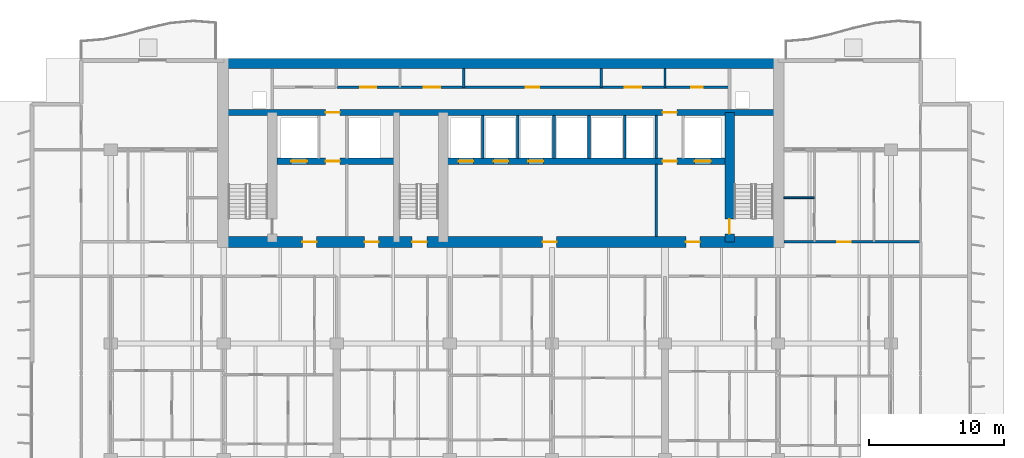
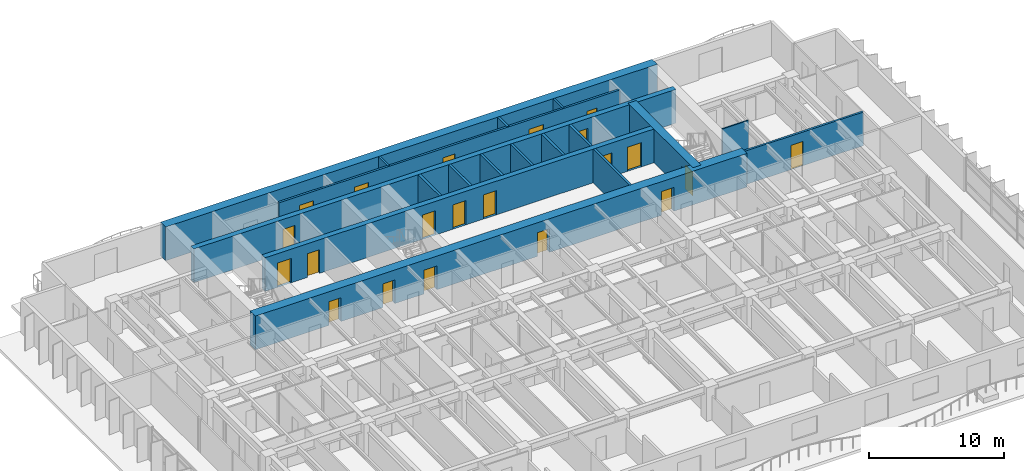
# One storey, part 11 of 17: 21 doors, 18 walls, 21 openings.
"""IFC4 building model written with IfcOpenShell, lengths in metres."""

from ifc_helpers import new_model, si_unit, direction, frame, frame_2d, origin, place, context, subcontext, project, spatial, rectangle, extrude, material, layer, layer_set, type_object, element, fill, save


model = new_model("IFC4")

# Units and contexts
model_context = context("Model", 3, precision=1e-05, world=origin(), true_north=direction((0.0, 1.0)))
body_context = subcontext(model_context, "Body", "Model", "MODEL_VIEW")
ifc_project = project(units=[si_unit("LENGTHUNIT", "METRE"), si_unit("AREAUNIT", "SQUARE_METRE"), si_unit("VOLUMEUNIT", "CUBIC_METRE"), si_unit("PLANEANGLEUNIT", "RADIAN"), si_unit("MASSUNIT", "GRAM", prefix="KILO")], contexts=[model_context])

# Site, building, storey
site_placement = place(None, origin())
site = spatial("IfcSite", under=ifc_project, at=site_placement, CompositionType="ELEMENT")
building_placement = place(site_placement, origin())
building = spatial("IfcBuilding", under=site, at=building_placement, Name="Caelmar Bay Residences", CompositionType="ELEMENT")
storey_placement = place(building_placement, frame((0.0, 0.0, 84.60009765625)))
storey = spatial("IfcBuildingStorey", under=building, at=storey_placement, Name="L22", CompositionType="ELEMENT", Elevation=84.60009765625)

# Wall, opening, door
ifc_material_1 = material(Name="Concrete f'c 55 MPa (8,000 psi)", Category="concrete")
ifc_layer_1 = layer(ifc_material_1, 0.699951171875)
ifc_layer_set_1 = layer_set([ifc_layer_1], Name="Concrete f'c 55 MPa (8,000 psi)")
wall_type_1 = type_object("IfcWallType", Name="SW-COR-700", PredefinedType="SHEAR", material=ifc_layer_set_1)
wall_1_placement = place(storey_placement, frame((55.89990234375, 36.949951171875, 0.0), z_axis=(0.0, 0.0, 1.0), x_axis=(0.0, 1.0, 0.0)))
wall_1 = element("IfcWall", 1, at=wall_1_placement, inside=storey, type_object=wall_type_1, Name="L22 Core Structural Web Wall ST2W", PredefinedType="SHEAR", context=body_context, shape_type="SweptSolid", body=[
    extrude(rectangle(XDim=9.625, YDim=0.699951171875, at=frame_2d((4.8125, 0.0))), origin(), (0.0, 0.0, 1.0), 3.0498046875),
])
opening_1_placement = place(wall_1_placement, frame((0.60009765625, 0.0, 0.0)))
opening_1 = element("IfcOpeningElement", 2, at=opening_1_placement, cuts=wall_1, Name="Opening D-L22-111", PredefinedType="OPENING", context=body_context, shape_type="SweptSolid", body=[
    extrude(rectangle(XDim=1.10009765625, YDim=2.14990234375, at=frame_2d((0.550048828125, 1.074951171875))), frame((0.0, 0.35986328125, 0.0), z_axis=(0.0, -1.0, 0.0), x_axis=(1.0, 0.0, 0.0)), (0.0, 0.0, 1.0), 0.719970703125),
])
ifc_material_2 = material(Name="Fire-rated steel and walnut architectural door assembly", Category="steel")
ifc_layer_2 = layer(ifc_material_2, 0.050048828125)
ifc_layer_set_2 = layer_set([ifc_layer_2], Name="Fire-rated steel and walnut architectural door assembly")
door_type_1 = type_object("IfcDoorType", Name="D-STAIR-1100", OperationType="NOTDEFINED", PredefinedType="DOOR", material=ifc_layer_set_2)
door_1_placement = place(opening_1_placement, origin())
door_1 = element("IfcDoor", 3, at=door_1_placement, inside=storey, type_object=door_type_1, Name="L22 Firefighting Lobby East Door", OperationType="SINGLE_SWING_RIGHT", OverallHeight=2.14990234375, OverallWidth=1.10009765625, PredefinedType="DOOR", context=body_context, shape_type="SweptSolid", body=[
    extrude(rectangle(XDim=1.10009765625, YDim=2.14990234375, at=frame_2d((0.550048828125, 1.074951171875))), frame((0.0, 0.02490234375, 0.0), z_axis=(0.0, -1.0, 0.0), x_axis=(1.0, 0.0, 0.0)), (0.0, 0.0, 1.0), 0.050048828125),
])
fill(opening_1, door_1)

# Wall, openings, doors
ifc_material_3 = material(Name="Concrete f'c 70 MPa (10,000 psi)", Category="concrete")
ifc_layer_3 = layer(ifc_material_3, 0.800048828125)
ifc_layer_set_3 = layer_set([ifc_layer_3], Name="Concrete f'c 70 MPa (10,000 psi)")
wall_type_2 = type_object("IfcWallType", Name="SW-COR-800", PredefinedType="SHEAR", material=ifc_layer_set_3)
wall_2_placement = place(storey_placement, frame((17.85009765625, 36.949951171875, 0.0), z_axis=(0.0, 0.0, 1.0), x_axis=(1.0, 0.0, 0.0)))
wall_2 = element("IfcWall", 4, at=wall_2_placement, inside=storey, type_object=wall_type_2, Name="L22 Rear Core South Shear Wall", PredefinedType="SHEAR", context=body_context, shape_type="SweptSolid", body=[
    extrude(rectangle(XDim=42.099853515625, YDim=0.800048828125, at=frame_2d((21.0498046875, 0.0))), origin(), (0.0, 0.0, 1.0), 3.0498046875),
])
opening_2_placement = place(wall_2_placement, frame((14.449951171875, 0.0, 0.0)))
opening_2 = element("IfcOpeningElement", 5, at=opening_2_placement, cuts=wall_2, Name="Opening D-L22-106", PredefinedType="OPENING", context=body_context, shape_type="SweptSolid", body=[
    extrude(rectangle(XDim=1.10009765625, YDim=2.14990234375, at=frame_2d((0.550048828125, 1.074951171875))), frame((0.0, 0.409912109375, 0.0), z_axis=(0.0, -1.0, 0.0), x_axis=(1.0, 0.0, 0.0)), (0.0, 0.0, 1.0), 0.820068359375),
])
opening_3_placement = place(wall_2_placement, frame((6.300048828125, 0.0, 0.0)))
opening_3 = element("IfcOpeningElement", 6, at=opening_3_placement, cuts=wall_2, Name="Opening D-L22-107", PredefinedType="OPENING", context=body_context, shape_type="SweptSolid", body=[
    extrude(rectangle(XDim=1.050048828125, YDim=2.14990234375, at=frame_2d((0.52490234375, 1.074951171875))), frame((0.0, 0.409912109375, 0.0), z_axis=(0.0, -1.0, 0.0), x_axis=(1.0, 0.0, 0.0)), (0.0, 0.0, 1.0), 0.820068359375),
])
opening_4_placement = place(wall_2_placement, frame((34.800048828125, 0.0, 0.0)))
opening_4 = element("IfcOpeningElement", 7, at=opening_4_placement, cuts=wall_2, Name="Opening D-L22-110", PredefinedType="OPENING", context=body_context, shape_type="SweptSolid", body=[
    extrude(rectangle(XDim=1.050048828125, YDim=2.14990234375, at=frame_2d((0.52490234375, 1.074951171875))), frame((0.0, 0.409912109375, 0.0), z_axis=(0.0, -1.0, 0.0), x_axis=(1.0, 0.0, 0.0)), (0.0, 0.0, 1.0), 0.820068359375),
])
opening_5_placement = place(wall_2_placement, frame((10.91259765625, 0.0, 0.0)))
opening_5 = element("IfcOpeningElement", 8, at=opening_5_placement, cuts=wall_2, Name="Opening D-L22-113", PredefinedType="OPENING", context=body_context, shape_type="SweptSolid", body=[
    extrude(rectangle(XDim=1.050048828125, YDim=2.14990234375, at=frame_2d((0.52490234375, 1.074951171875))), frame((0.0, 0.409912109375, 0.0), z_axis=(0.0, -1.0, 0.0), x_axis=(1.0, 0.0, 0.0)), (0.0, 0.0, 1.0), 0.820068359375),
])
opening_6_placement = place(wall_2_placement, frame((24.14990234375, 0.0, 0.0)))
opening_6 = element("IfcOpeningElement", 9, at=opening_6_placement, cuts=wall_2, Name="Opening D-L22-114", PredefinedType="OPENING", context=body_context, shape_type="SweptSolid", body=[
    extrude(rectangle(XDim=1.050048828125, YDim=2.14990234375, at=frame_2d((0.52490234375, 1.074951171875))), frame((0.0, 0.409912109375, 0.0), z_axis=(0.0, -1.0, 0.0), x_axis=(1.0, 0.0, 0.0)), (0.0, 0.0, 1.0), 0.820068359375),
])
ifc_layer_4 = layer(ifc_material_2, 0.050048828125)
ifc_layer_set_4 = layer_set([ifc_layer_4], Name="Fire-rated steel and walnut architectural door assembly")
door_type_2 = type_object("IfcDoorType", Name="D-FSAE-1050", OperationType="NOTDEFINED", PredefinedType="DOOR", material=ifc_layer_set_4)
door_2_placement = place(opening_3_placement, origin())
door_2 = element("IfcDoor", 10, at=door_2_placement, inside=storey, type_object=door_type_2, Name="L22 Firefighting Lobby West Door", OperationType="SINGLE_SWING_RIGHT", OverallHeight=2.14990234375, OverallWidth=1.050048828125, PredefinedType="DOOR", context=body_context, shape_type="SweptSolid", body=[
    extrude(rectangle(XDim=1.050048828125, YDim=2.14990234375, at=frame_2d((0.52490234375, 1.074951171875))), frame((0.0, 0.02490234375, 0.0), z_axis=(0.0, -1.0, 0.0), x_axis=(1.0, 0.0, 0.0)), (0.0, 0.0, 1.0), 0.050048828125),
])
fill(opening_3, door_2)
door_3_placement = place(opening_4_placement, origin())
door_3 = element("IfcDoor", 11, at=door_3_placement, inside=storey, type_object=door_type_2, Name="L22 Firefighting Lobby East Door", OperationType="SINGLE_SWING_LEFT", OverallHeight=2.14990234375, OverallWidth=1.050048828125, PredefinedType="DOOR", context=body_context, shape_type="SweptSolid", body=[
    extrude(rectangle(XDim=1.050048828125, YDim=2.14990234375, at=frame_2d((0.52490234375, 1.074951171875))), frame((0.0, 0.02490234375, 0.0), z_axis=(0.0, -1.0, 0.0), x_axis=(1.0, 0.0, 0.0)), (0.0, 0.0, 1.0), 0.050048828125),
])
fill(opening_4, door_3)
door_4_placement = place(opening_5_placement, origin())
door_4 = element("IfcDoor", 12, at=door_4_placement, inside=storey, type_object=door_type_2, Name="L22 West Lift Lobby Door", OperationType="SINGLE_SWING_RIGHT", OverallHeight=2.14990234375, OverallWidth=1.050048828125, PredefinedType="DOOR", context=body_context, shape_type="SweptSolid", body=[
    extrude(rectangle(XDim=1.050048828125, YDim=2.14990234375, at=frame_2d((0.52490234375, 1.074951171875))), frame((0.0, 0.02490234375, 0.0), z_axis=(0.0, -1.0, 0.0), x_axis=(1.0, 0.0, 0.0)), (0.0, 0.0, 1.0), 0.050048828125),
])
fill(opening_5, door_4)
door_5_placement = place(opening_6_placement, origin())
door_5 = element("IfcDoor", 13, at=door_5_placement, inside=storey, type_object=door_type_2, Name="L22 Passenger Lift Lobby Door", OperationType="SINGLE_SWING_LEFT", OverallHeight=2.14990234375, OverallWidth=1.050048828125, PredefinedType="DOOR", context=body_context, shape_type="SweptSolid", body=[
    extrude(rectangle(XDim=1.050048828125, YDim=2.14990234375, at=frame_2d((0.52490234375, 1.074951171875))), frame((0.0, 0.02490234375, 0.0), z_axis=(0.0, -1.0, 0.0), x_axis=(1.0, 0.0, 0.0)), (0.0, 0.0, 1.0), 0.050048828125),
])
fill(opening_6, door_5)
door_6_placement = place(opening_2_placement, origin())
door_6 = element("IfcDoor", 14, at=door_6_placement, inside=storey, type_object=door_type_1, Name="L22 Exit Stair ST3 Door", OperationType="SINGLE_SWING_LEFT", OverallHeight=2.14990234375, OverallWidth=1.10009765625, PredefinedType="DOOR", context=body_context, shape_type="SweptSolid", body=[
    extrude(rectangle(XDim=1.10009765625, YDim=2.14990234375, at=frame_2d((0.550048828125, 1.074951171875))), frame((0.0, 0.02490234375, 0.0), z_axis=(0.0, -1.0, 0.0), x_axis=(1.0, 0.0, 0.0)), (0.0, 0.0, 1.0), 0.050048828125),
])
fill(opening_2, door_6)

# Wall
ifc_layer_5 = layer(ifc_material_3, 0.75)
ifc_layer_set_5 = layer_set([ifc_layer_5], Name="Concrete f'c 70 MPa (10,000 psi)")
wall_type_3 = type_object("IfcWallType", Name="SW-CORN-750", PredefinedType="SHEAR", material=ifc_layer_set_5)
wall_3_placement = place(storey_placement, frame((17.85009765625, 50.22509765625, 0.0), z_axis=(0.0, 0.0, 1.0), x_axis=(1.0, 0.0, 0.0)))
element("IfcWall", 15, at=wall_3_placement, inside=storey, type_object=wall_type_3, Name="L22 Rear Core North Shear Wall", PredefinedType="SHEAR", context=body_context, shape_type="SweptSolid", body=[
    extrude(rectangle(XDim=42.099853515625, YDim=0.75, at=frame_2d((21.0498046875, 0.0))), origin(), (0.0, 0.0, 1.0), 3.0498046875),
])

# Wall, openings, doors
ifc_layer_6 = layer(ifc_material_3, 0.449951171875)
ifc_layer_set_6 = layer_set([ifc_layer_6], Name="Concrete f'c 70 MPa (10,000 psi)")
wall_type_4 = type_object("IfcWallType", Name="SW-WEB-450", PredefinedType="SHEAR", material=ifc_layer_set_6)
wall_4_placement = place(storey_placement, frame((22.25, 42.949951171875, 0.0), z_axis=(0.0, 0.0, 1.0), x_axis=(1.0, 0.0, 0.0)))
wall_4 = element("IfcWall", 16, at=wall_4_placement, inside=storey, type_object=wall_type_4, Name="L22 Core Structural Web Wall LFR", PredefinedType="SHEAR", context=body_context, shape_type="SweptSolid", body=[
    extrude(rectangle(XDim=33.300048828125, YDim=0.449951171875, at=frame_2d((16.64990234375, 0.0))), origin(), (0.0, 0.0, 1.0), 3.0498046875),
])
opening_7_placement = place(wall_4_placement, frame((1.050048828125, 0.0, 0.0)))
opening_7 = element("IfcOpeningElement", 17, at=opening_7_placement, cuts=wall_4, Name="Opening LD2", PredefinedType="OPENING", context=body_context, shape_type="SweptSolid", body=[
    extrude(rectangle(XDim=1.199951171875, YDim=2.199951171875, at=frame_2d((0.60009765625, 1.10009765625))), frame((0.0, 0.23486328125, 0.0), z_axis=(0.0, -1.0, 0.0), x_axis=(1.0, 0.0, 0.0)), (0.0, 0.0, 1.0), 0.469970703125),
])
opening_8_placement = place(wall_4_placement, frame((31.050048828125, 0.0, 0.0)))
opening_8 = element("IfcOpeningElement", 18, at=opening_8_placement, cuts=wall_4, Name="Opening LD2", PredefinedType="OPENING", context=body_context, shape_type="SweptSolid", body=[
    extrude(rectangle(XDim=1.199951171875, YDim=2.199951171875, at=frame_2d((0.60009765625, 1.10009765625))), frame((0.0, 0.23486328125, 0.0), z_axis=(0.0, -1.0, 0.0), x_axis=(1.0, 0.0, 0.0)), (0.0, 0.0, 1.0), 0.469970703125),
])
opening_9_placement = place(wall_4_placement, frame((13.5, 0.0, 0.0)))
opening_9 = element("IfcOpeningElement", 19, at=opening_9_placement, cuts=wall_4, Name="Opening LD1", PredefinedType="OPENING", context=body_context, shape_type="SweptSolid", body=[
    extrude(rectangle(XDim=1.10009765625, YDim=2.199951171875, at=frame_2d((0.550048828125, 1.10009765625))), frame((0.0, 0.23486328125, 0.0), z_axis=(0.0, -1.0, 0.0), x_axis=(1.0, 0.0, 0.0)), (0.0, 0.0, 1.0), 0.469970703125),
])
opening_10_placement = place(wall_4_placement, frame((16.10009765625, 0.0, 0.0)))
opening_10 = element("IfcOpeningElement", 20, at=opening_10_placement, cuts=wall_4, Name="Opening LD1", PredefinedType="OPENING", context=body_context, shape_type="SweptSolid", body=[
    extrude(rectangle(XDim=1.10009765625, YDim=2.199951171875, at=frame_2d((0.550048828125, 1.10009765625))), frame((0.0, 0.23486328125, 0.0), z_axis=(0.0, -1.0, 0.0), x_axis=(1.0, 0.0, 0.0)), (0.0, 0.0, 1.0), 0.469970703125),
])
opening_11_placement = place(wall_4_placement, frame((18.699951171875, 0.0, 0.0)))
opening_11 = element("IfcOpeningElement", 21, at=opening_11_placement, cuts=wall_4, Name="Opening LD1", PredefinedType="OPENING", context=body_context, shape_type="SweptSolid", body=[
    extrude(rectangle(XDim=1.10009765625, YDim=2.199951171875, at=frame_2d((0.550048828125, 1.10009765625))), frame((0.0, 0.23486328125, 0.0), z_axis=(0.0, -1.0, 0.0), x_axis=(1.0, 0.0, 0.0)), (0.0, 0.0, 1.0), 0.469970703125),
])
opening_12_placement = place(wall_4_placement, frame((3.625, 0.0, 0.0)))
opening_12 = element("IfcOpeningElement", 22, at=opening_12_placement, cuts=wall_4, Name="Opening D-L22-109", PredefinedType="OPENING", context=body_context, shape_type="SweptSolid", body=[
    extrude(rectangle(XDim=1.050048828125, YDim=2.14990234375, at=frame_2d((0.52490234375, 1.074951171875))), frame((0.0, 0.23486328125, 0.0), z_axis=(0.0, -1.0, 0.0), x_axis=(1.0, 0.0, 0.0)), (0.0, 0.0, 1.0), 0.469970703125),
])
opening_13_placement = place(wall_4_placement, frame((28.675048828125, 0.0, 0.0)))
opening_13 = element("IfcOpeningElement", 23, at=opening_13_placement, cuts=wall_4, Name="Opening D-L22-112", PredefinedType="OPENING", context=body_context, shape_type="SweptSolid", body=[
    extrude(rectangle(XDim=1.050048828125, YDim=2.14990234375, at=frame_2d((0.52490234375, 1.074951171875))), frame((0.0, 0.23486328125, 0.0), z_axis=(0.0, -1.0, 0.0), x_axis=(1.0, 0.0, 0.0)), (0.0, 0.0, 1.0), 0.469970703125),
])
door_7_placement = place(opening_12_placement, origin())
door_7 = element("IfcDoor", 24, at=door_7_placement, inside=storey, type_object=door_type_2, Name="L22 Firefighting Lobby West Door", OperationType="SINGLE_SWING_RIGHT", OverallHeight=2.14990234375, OverallWidth=1.050048828125, PredefinedType="DOOR", context=body_context, shape_type="SweptSolid", body=[
    extrude(rectangle(XDim=1.050048828125, YDim=2.14990234375, at=frame_2d((0.52490234375, 1.074951171875))), frame((0.0, 0.02490234375, 0.0), z_axis=(0.0, -1.0, 0.0), x_axis=(1.0, 0.0, 0.0)), (0.0, 0.0, 1.0), 0.050048828125),
])
fill(opening_12, door_7)
door_8_placement = place(opening_13_placement, origin())
door_8 = element("IfcDoor", 25, at=door_8_placement, inside=storey, type_object=door_type_2, Name="L22 Firefighting Lobby East Door", OperationType="SINGLE_SWING_LEFT", OverallHeight=2.14990234375, OverallWidth=1.050048828125, PredefinedType="DOOR", context=body_context, shape_type="SweptSolid", body=[
    extrude(rectangle(XDim=1.050048828125, YDim=2.14990234375, at=frame_2d((0.52490234375, 1.074951171875))), frame((0.0, 0.02490234375, 0.0), z_axis=(0.0, -1.0, 0.0), x_axis=(1.0, 0.0, 0.0)), (0.0, 0.0, 1.0), 0.050048828125),
])
fill(opening_13, door_8)
ifc_material_4 = material(Name="Brushed bronze stainless-steel fire-rated lift landing doors", Category="steel")
ifc_layer_7 = layer(ifc_material_4, 0.050048828125)
ifc_layer_set_7 = layer_set([ifc_layer_7], Name="Brushed bronze stainless-steel fire-rated lift landing doors")
door_type_3 = type_object("IfcDoorType", Name="D-LND-1100", OperationType="DOUBLE_DOOR_SLIDING", PredefinedType="DOOR", material=ifc_layer_set_7)
door_9_placement = place(opening_9_placement, origin())
door_9 = element("IfcDoor", 26, at=door_9_placement, inside=storey, type_object=door_type_3, Name="L22 LP1 Sliding Landing Door", OperationType="DOUBLE_DOOR_SLIDING", OverallHeight=2.199951171875, OverallWidth=1.10009765625, PredefinedType="DOOR", context=body_context, shape_type="SweptSolid", body=[
    extrude(rectangle(XDim=1.10009765625, YDim=2.199951171875, at=frame_2d((0.550048828125, 1.10009765625))), frame((0.0, 0.02490234375, 0.0), z_axis=(0.0, -1.0, 0.0), x_axis=(1.0, 0.0, 0.0)), (0.0, 0.0, 1.0), 0.050048828125),
])
fill(opening_9, door_9)
door_10_placement = place(opening_10_placement, origin())
door_10 = element("IfcDoor", 27, at=door_10_placement, inside=storey, type_object=door_type_3, Name="L22 LP2 Sliding Landing Door", OperationType="DOUBLE_DOOR_SLIDING", OverallHeight=2.199951171875, OverallWidth=1.10009765625, PredefinedType="DOOR", context=body_context, shape_type="SweptSolid", body=[
    extrude(rectangle(XDim=1.10009765625, YDim=2.199951171875, at=frame_2d((0.550048828125, 1.10009765625))), frame((0.0, 0.02490234375, 0.0), z_axis=(0.0, -1.0, 0.0), x_axis=(1.0, 0.0, 0.0)), (0.0, 0.0, 1.0), 0.050048828125),
])
fill(opening_10, door_10)
door_11_placement = place(opening_11_placement, origin())
door_11 = element("IfcDoor", 28, at=door_11_placement, inside=storey, type_object=door_type_3, Name="L22 LP3 Sliding Landing Door", OperationType="DOUBLE_DOOR_SLIDING", OverallHeight=2.199951171875, OverallWidth=1.10009765625, PredefinedType="DOOR", context=body_context, shape_type="SweptSolid", body=[
    extrude(rectangle(XDim=1.10009765625, YDim=2.199951171875, at=frame_2d((0.550048828125, 1.10009765625))), frame((0.0, 0.02490234375, 0.0), z_axis=(0.0, -1.0, 0.0), x_axis=(1.0, 0.0, 0.0)), (0.0, 0.0, 1.0), 0.050048828125),
])
fill(opening_11, door_11)
ifc_material_5 = material(Name="Brushed stainless-steel FSAE sliding landing door", Category="steel")
ifc_layer_8 = layer(ifc_material_5, 0.050048828125)
ifc_layer_set_8 = layer_set([ifc_layer_8], Name="Brushed stainless-steel FSAE sliding landing door")
door_type_4 = type_object("IfcDoorType", Name="D-LND-1200", OperationType="DOUBLE_DOOR_SLIDING", PredefinedType="DOOR", material=ifc_layer_set_8)
door_12_placement = place(opening_7_placement, origin())
door_12 = element("IfcDoor", 29, at=door_12_placement, inside=storey, type_object=door_type_4, Name="L22 LF1 Sliding Landing Door", OperationType="DOUBLE_DOOR_SLIDING", OverallHeight=2.199951171875, OverallWidth=1.199951171875, PredefinedType="DOOR", context=body_context, shape_type="SweptSolid", body=[
    extrude(rectangle(XDim=1.199951171875, YDim=2.199951171875, at=frame_2d((0.60009765625, 1.10009765625))), frame((0.0, 0.02490234375, 0.0), z_axis=(0.0, -1.0, 0.0), x_axis=(1.0, 0.0, 0.0)), (0.0, 0.0, 1.0), 0.050048828125),
])
fill(opening_7, door_12)
door_13_placement = place(opening_8_placement, origin())
door_13 = element("IfcDoor", 30, at=door_13_placement, inside=storey, type_object=door_type_4, Name="L22 LF2 Sliding Landing Door", OperationType="DOUBLE_DOOR_SLIDING", OverallHeight=2.199951171875, OverallWidth=1.199951171875, PredefinedType="DOOR", context=body_context, shape_type="SweptSolid", body=[
    extrude(rectangle(XDim=1.199951171875, YDim=2.199951171875, at=frame_2d((0.60009765625, 1.10009765625))), frame((0.0, 0.02490234375, 0.0), z_axis=(0.0, -1.0, 0.0), x_axis=(1.0, 0.0, 0.0)), (0.0, 0.0, 1.0), 0.050048828125),
])
fill(opening_8, door_13)

wall_5_placement = place(storey_placement, frame((18.25, 46.574951171875, 0.0), z_axis=(0.0, 0.0, 1.0), x_axis=(1.0, 0.0, 0.0)))
wall_5 = element("IfcWall", 31, at=wall_5_placement, inside=storey, type_object=wall_type_4, Name="L22 Core Structural Web Wall SRVS", PredefinedType="SHEAR", context=body_context, shape_type="SweptSolid", body=[
    extrude(rectangle(XDim=41.300048828125, YDim=0.449951171875, at=frame_2d((20.64990234375, 0.0))), origin(), (0.0, 0.0, 1.0), 3.0498046875),
])
opening_14_placement = place(wall_5_placement, frame((7.625, 0.0, 0.0)))
opening_14 = element("IfcOpeningElement", 32, at=opening_14_placement, cuts=wall_5, Name="Opening D-L22-115", PredefinedType="OPENING", context=body_context, shape_type="SweptSolid", body=[
    extrude(rectangle(XDim=1.050048828125, YDim=2.14990234375, at=frame_2d((0.52490234375, 1.074951171875))), frame((0.0, 0.23486328125, 0.0), z_axis=(0.0, -1.0, 0.0), x_axis=(1.0, 0.0, 0.0)), (0.0, 0.0, 1.0), 0.469970703125),
])
opening_15_placement = place(wall_5_placement, frame((32.675048828125, 0.0, 0.0)))
opening_15 = element("IfcOpeningElement", 33, at=opening_15_placement, cuts=wall_5, Name="Opening D-L22-116", PredefinedType="OPENING", context=body_context, shape_type="SweptSolid", body=[
    extrude(rectangle(XDim=1.050048828125, YDim=2.14990234375, at=frame_2d((0.52490234375, 1.074951171875))), frame((0.0, 0.23486328125, 0.0), z_axis=(0.0, -1.0, 0.0), x_axis=(1.0, 0.0, 0.0)), (0.0, 0.0, 1.0), 0.469970703125),
])
door_14_placement = place(opening_14_placement, origin())
door_14 = element("IfcDoor", 34, at=door_14_placement, inside=storey, type_object=door_type_2, Name="L22 Core Service Corridor Door", OperationType="SINGLE_SWING_RIGHT", OverallHeight=2.14990234375, OverallWidth=1.050048828125, PredefinedType="DOOR", context=body_context, shape_type="SweptSolid", body=[
    extrude(rectangle(XDim=1.050048828125, YDim=2.14990234375, at=frame_2d((0.52490234375, 1.074951171875))), frame((0.0, 0.02490234375, 0.0), z_axis=(0.0, -1.0, 0.0), x_axis=(1.0, 0.0, 0.0)), (0.0, 0.0, 1.0), 0.050048828125),
])
fill(opening_14, door_14)
door_15_placement = place(opening_15_placement, origin())
door_15 = element("IfcDoor", 35, at=door_15_placement, inside=storey, type_object=door_type_2, Name="L22 Core Service Corridor Door", OperationType="SINGLE_SWING_LEFT", OverallHeight=2.14990234375, OverallWidth=1.050048828125, PredefinedType="DOOR", context=body_context, shape_type="SweptSolid", body=[
    extrude(rectangle(XDim=1.050048828125, YDim=2.14990234375, at=frame_2d((0.52490234375, 1.074951171875))), frame((0.0, 0.02490234375, 0.0), z_axis=(0.0, -1.0, 0.0), x_axis=(1.0, 0.0, 0.0)), (0.0, 0.0, 1.0), 0.050048828125),
])
fill(opening_15, door_15)

# Walls
ifc_material_6 = material(Name="Double-stud acoustic fire-rated gypsum partition 180 mm")
ifc_layer_9 = layer(ifc_material_6, 0.179931640625)
ifc_layer_set_9 = layer_set([ifc_layer_9], Name="Double-stud acoustic fire-rated gypsum partition 180 mm")
wall_type_5 = type_object("IfcWallType", Name="W-COR-200", PredefinedType="PARTITIONING", material=ifc_layer_set_9)
for number, where, z_axis, x_axis, name in (
    (36, (36.14990234375, 48.449951171875, 0.0), (0.0, 0.0, 1.0), (0.0, 1.0, 0.0), "L22 Partition Wall V050"),
    (37, (46.35009765625, 48.449951171875, 0.0), (0.0, 0.0, 1.0), (0.0, 1.0, 0.0), "L22 Partition Wall V062"),
    (38, (51.10009765625, 48.449951171875, 0.0), (0.0, 0.0, 1.0), (0.0, 1.0, 0.0), "L22 Partition Wall V072"),
):
    element("IfcWall", number, at=place(storey_placement, frame(where, z_axis=z_axis, x_axis=x_axis)), inside=storey, type_object=wall_type_5, Name=name, PredefinedType="PARTITIONING", context=body_context, shape_type="SweptSolid", body=[
        extrude(rectangle(XDim=1.405029296875, YDim=0.179931640625, at=frame_2d((0.70263671875, 0.0))), origin(), (0.0, 0.0, 1.0), 3.0498046875),
    ])

# Wall, opening, door
wall_6_placement = place(storey_placement, frame((59.955078125, 36.949951171875, 0.0), z_axis=(0.0, 0.0, 1.0), x_axis=(1.0, 0.0, 0.0)))
wall_6 = element("IfcWall", 39, at=wall_6_placement, inside=storey, type_object=wall_type_5, Name="L22 Partition Wall H137", PredefinedType="PARTITIONING", context=body_context, shape_type="SweptSolid", body=[
    extrude(rectangle(XDim=10.14501953125, YDim=0.179931640625, at=frame_2d((5.072509765625, 0.0))), origin(), (0.0, 0.0, 1.0), 3.0498046875),
])
opening_16_placement = place(wall_6_placement, frame((3.95703125, 0.0, 0.0)))
opening_16 = element("IfcOpeningElement", 40, at=opening_16_placement, cuts=wall_6, Name="Opening D-L22-179", PredefinedType="OPENING", context=body_context, shape_type="SweptSolid", body=[
    extrude(rectangle(XDim=1.0, YDim=2.199951171875, at=frame_2d((0.5, 1.10009765625))), frame((0.0, 0.099853515625, 0.0), z_axis=(0.0, -1.0, 0.0), x_axis=(1.0, 0.0, 0.0)), (0.0, 0.0, 1.0), 0.199951171875),
])
ifc_layer_10 = layer(ifc_material_2, 0.050048828125)
ifc_layer_set_10 = layer_set([ifc_layer_10], Name="Fire-rated steel and walnut architectural door assembly")
door_type_5 = type_object("IfcDoorType", Name="D-UNIT-1000", OperationType="NOTDEFINED", PredefinedType="DOOR", material=ifc_layer_set_10)
door_16_placement = place(opening_16_placement, origin())
door_16 = element("IfcDoor", 41, at=door_16_placement, inside=storey, type_object=door_type_5, Name="L22 Residence EA Kitchen Door", OperationType="SINGLE_SWING_RIGHT", OverallHeight=2.199951171875, OverallWidth=1.0, PredefinedType="DOOR", context=body_context, shape_type="SweptSolid", body=[
    extrude(rectangle(XDim=1.0, YDim=2.199951171875, at=frame_2d((0.5, 1.10009765625))), frame((0.0, 0.02490234375, 0.0), z_axis=(0.0, -1.0, 0.0), x_axis=(1.0, 0.0, 0.0)), (0.0, 0.0, 1.0), 0.050048828125),
])
fill(opening_16, door_16)

# Wall, openings, doors
wall_7_placement = place(storey_placement, frame((26.699951171875, 48.449951171875, 0.0), z_axis=(0.0, 0.0, 1.0), x_axis=(1.0, 0.0, 0.0)))
wall_7 = element("IfcWall", 42, at=wall_7_placement, inside=storey, type_object=wall_type_5, Name="L22 Partition Wall H143", PredefinedType="PARTITIONING", context=body_context, shape_type="SweptSolid", body=[
    extrude(rectangle(XDim=29.18603515625, YDim=0.179931640625, at=frame_2d((14.593017578125, 0.0))), origin(), (0.0, 0.0, 1.0), 3.0498046875),
])
opening_17_placement = place(wall_7_placement, frame((1.75, 0.0, 0.0)))
opening_17 = element("IfcOpeningElement", 43, at=opening_17_placement, cuts=wall_7, Name="Opening D-L22-118", PredefinedType="OPENING", context=body_context, shape_type="SweptSolid", body=[
    extrude(rectangle(XDim=1.199951171875, YDim=2.199951171875, at=frame_2d((0.60009765625, 1.10009765625))), frame((0.0, 0.099853515625, 0.0), z_axis=(0.0, -1.0, 0.0), x_axis=(1.0, 0.0, 0.0)), (0.0, 0.0, 1.0), 0.199951171875),
])
opening_18_placement = place(wall_7_placement, frame((6.47509765625, 0.0, 0.0)))
opening_18 = element("IfcOpeningElement", 44, at=opening_18_placement, cuts=wall_7, Name="Opening D-L22-119", PredefinedType="OPENING", context=body_context, shape_type="SweptSolid", body=[
    extrude(rectangle(XDim=1.199951171875, YDim=2.199951171875, at=frame_2d((0.60009765625, 1.10009765625))), frame((0.0, 0.099853515625, 0.0), z_axis=(0.0, -1.0, 0.0), x_axis=(1.0, 0.0, 0.0)), (0.0, 0.0, 1.0), 0.199951171875),
])
opening_19_placement = place(wall_7_placement, frame((14.050048828125, 0.0, 0.0)))
opening_19 = element("IfcOpeningElement", 45, at=opening_19_placement, cuts=wall_7, Name="Opening D-L22-120", PredefinedType="OPENING", context=body_context, shape_type="SweptSolid", body=[
    extrude(rectangle(XDim=1.0, YDim=2.199951171875, at=frame_2d((0.5, 1.10009765625))), frame((0.0, 0.099853515625, 0.0), z_axis=(0.0, -1.0, 0.0), x_axis=(1.0, 0.0, 0.0)), (0.0, 0.0, 1.0), 0.199951171875),
])
opening_20_placement = place(wall_7_placement, frame((21.425048828125, 0.0, 0.0)))
opening_20 = element("IfcOpeningElement", 46, at=opening_20_placement, cuts=wall_7, Name="Opening D-L22-121", PredefinedType="OPENING", context=body_context, shape_type="SweptSolid", body=[
    extrude(rectangle(XDim=1.199951171875, YDim=2.199951171875, at=frame_2d((0.60009765625, 1.10009765625))), frame((0.0, 0.099853515625, 0.0), z_axis=(0.0, -1.0, 0.0), x_axis=(1.0, 0.0, 0.0)), (0.0, 0.0, 1.0), 0.199951171875),
])
opening_21_placement = place(wall_7_placement, frame((26.367919921875, 0.0, 0.0)))
opening_21 = element("IfcOpeningElement", 47, at=opening_21_placement, cuts=wall_7, Name="Opening D-L22-122", PredefinedType="OPENING", context=body_context, shape_type="SweptSolid", body=[
    extrude(rectangle(XDim=0.85009765625, YDim=2.10009765625, at=frame_2d((0.425048828125, 1.050048828125))), frame((0.0, 0.099853515625, 0.0), z_axis=(0.0, -1.0, 0.0), x_axis=(1.0, 0.0, 0.0)), (0.0, 0.0, 1.0), 0.199951171875),
])
ifc_layer_11 = layer(ifc_material_2, 0.050048828125)
ifc_layer_set_11 = layer_set([ifc_layer_11], Name="Fire-rated steel and walnut architectural door assembly")
door_type_6 = type_object("IfcDoorType", Name="D-CORE-850", OperationType="NOTDEFINED", PredefinedType="DOOR", material=ifc_layer_set_11)
door_17_placement = place(opening_21_placement, origin())
door_17 = element("IfcDoor", 48, at=door_17_placement, inside=storey, type_object=door_type_6, Name="L22 Staff Restroom Door", OperationType="SINGLE_SWING_LEFT", OverallHeight=2.10009765625, OverallWidth=0.85009765625, PredefinedType="DOOR", context=body_context, shape_type="SweptSolid", body=[
    extrude(rectangle(XDim=0.85009765625, YDim=2.10009765625, at=frame_2d((0.425048828125, 1.050048828125))), frame((0.0, 0.02490234375, 0.0), z_axis=(0.0, -1.0, 0.0), x_axis=(1.0, 0.0, 0.0)), (0.0, 0.0, 1.0), 0.050048828125),
])
fill(opening_21, door_17)
ifc_layer_12 = layer(ifc_material_2, 0.050048828125)
ifc_layer_set_12 = layer_set([ifc_layer_12], Name="Fire-rated steel and walnut architectural door assembly")
door_type_7 = type_object("IfcDoorType", Name="D-PLANT-1200", OperationType="NOTDEFINED", PredefinedType="DOOR", material=ifc_layer_set_12)
door_18_placement = place(opening_17_placement, origin())
door_18 = element("IfcDoor", 49, at=door_18_placement, inside=storey, type_object=door_type_7, Name="L22 Water Meter Closet Door", OperationType="SINGLE_SWING_LEFT", OverallHeight=2.199951171875, OverallWidth=1.199951171875, PredefinedType="DOOR", context=body_context, shape_type="SweptSolid", body=[
    extrude(rectangle(XDim=1.199951171875, YDim=2.199951171875, at=frame_2d((0.60009765625, 1.10009765625))), frame((0.0, 0.02490234375, 0.0), z_axis=(0.0, -1.0, 0.0), x_axis=(1.0, 0.0, 0.0)), (0.0, 0.0, 1.0), 0.050048828125),
])
fill(opening_17, door_18)
door_19_placement = place(opening_18_placement, origin())
door_19 = element("IfcDoor", 50, at=door_19_placement, inside=storey, type_object=door_type_7, Name="L22 Low-Voltage Data Closet Door", OperationType="SINGLE_SWING_RIGHT", OverallHeight=2.199951171875, OverallWidth=1.199951171875, PredefinedType="DOOR", context=body_context, shape_type="SweptSolid", body=[
    extrude(rectangle(XDim=1.199951171875, YDim=2.199951171875, at=frame_2d((0.60009765625, 1.10009765625))), frame((0.0, 0.02490234375, 0.0), z_axis=(0.0, -1.0, 0.0), x_axis=(1.0, 0.0, 0.0)), (0.0, 0.0, 1.0), 0.050048828125),
])
fill(opening_18, door_19)
door_20_placement = place(opening_20_placement, origin())
door_20 = element("IfcDoor", 51, at=door_20_placement, inside=storey, type_object=door_type_7, Name="L22 Valet Trunk Closet Door", OperationType="SINGLE_SWING_RIGHT", OverallHeight=2.199951171875, OverallWidth=1.199951171875, PredefinedType="DOOR", context=body_context, shape_type="SweptSolid", body=[
    extrude(rectangle(XDim=1.199951171875, YDim=2.199951171875, at=frame_2d((0.60009765625, 1.10009765625))), frame((0.0, 0.02490234375, 0.0), z_axis=(0.0, -1.0, 0.0), x_axis=(1.0, 0.0, 0.0)), (0.0, 0.0, 1.0), 0.050048828125),
])
fill(opening_20, door_20)
door_21_placement = place(opening_19_placement, origin())
door_21 = element("IfcDoor", 52, at=door_21_placement, inside=storey, type_object=door_type_5, Name="L22 Mail Sorting Office Door", OperationType="SINGLE_SWING_LEFT", OverallHeight=2.199951171875, OverallWidth=1.0, PredefinedType="DOOR", context=body_context, shape_type="SweptSolid", body=[
    extrude(rectangle(XDim=1.0, YDim=2.199951171875, at=frame_2d((0.5, 1.10009765625))), frame((0.0, 0.02490234375, 0.0), z_axis=(0.0, -1.0, 0.0), x_axis=(1.0, 0.0, 0.0)), (0.0, 0.0, 1.0), 0.050048828125),
])
fill(opening_19, door_21)

# Walls
ifc_material_7 = material(Name="Fire-rated masonry and gypsum shaftliner assembly 200 mm", Category="masonry")
ifc_layer_13 = layer(ifc_material_7, 0.199951171875)
ifc_layer_set_13 = layer_set([ifc_layer_13], Name="Fire-rated masonry and gypsum shaftliner assembly 200 mm")
wall_type_6 = type_object("IfcWallType", Name="W-FSAE-200", PredefinedType="PARTITIONING", material=ifc_layer_set_13)
for number, where, z_axis, x_axis, name in (
    (53, (37.550048828125, 43.169921875, 0.0), (0.0, 0.0, 1.0), (0.0, 1.0, 0.0), "L22 Partition Wall V051"),
    (54, (40.14990234375, 43.169921875, 0.0), (0.0, 0.0, 1.0), (0.0, 1.0, 0.0), "L22 Partition Wall V052"),
    (55, (42.85009765625, 43.169921875, 0.0), (0.0, 0.0, 1.0), (0.0, 1.0, 0.0), "L22 Partition Wall V060"),
    (56, (45.449951171875, 43.169921875, 0.0), (0.0, 0.0, 1.0), (0.0, 1.0, 0.0), "L22 Partition Wall V061"),
    (57, (48.10009765625, 43.169921875, 0.0), (0.0, 0.0, 1.0), (0.0, 1.0, 0.0), "L22 Partition Wall V063"),
):
    element("IfcWall", number, at=place(storey_placement, frame(where, z_axis=z_axis, x_axis=x_axis)), inside=storey, type_object=wall_type_6, Name=name, PredefinedType="PARTITIONING", context=body_context, shape_type="SweptSolid", body=[
        extrude(rectangle(XDim=3.18505859375, YDim=0.199951171875, at=frame_2d((1.592529296875, 0.0))), origin(), (0.0, 0.0, 1.0), 3.0498046875),
    ])
wall_8_placement = place(storey_placement, frame((50.449951171875, 37.344970703125, 0.0), z_axis=(0.0, 0.0, 1.0), x_axis=(0.0, 1.0, 0.0)))
element("IfcWall", 58, at=wall_8_placement, inside=storey, type_object=wall_type_6, Name="L22 Partition Wall V067", PredefinedType="PARTITIONING", context=body_context, shape_type="SweptSolid", body=[
    extrude(rectangle(XDim=5.385009765625, YDim=0.199951171875, at=frame_2d((2.6923828125, 0.0))), origin(), (0.0, 0.0, 1.0), 3.0498046875),
])
wall_9_placement = place(storey_placement, frame((50.449951171875, 43.169921875, 0.0), z_axis=(0.0, 0.0, 1.0), x_axis=(0.0, 1.0, 0.0)))
element("IfcWall", 59, at=wall_9_placement, inside=storey, type_object=wall_type_6, Name="L22 Partition Wall V068", PredefinedType="PARTITIONING", context=body_context, shape_type="SweptSolid", body=[
    extrude(rectangle(XDim=3.18505859375, YDim=0.199951171875, at=frame_2d((1.592529296875, 0.0))), origin(), (0.0, 0.0, 1.0), 3.0498046875),
])
ifc_material_8 = material(Name="Acoustic metal-stud gypsum partition 120 mm")
ifc_layer_14 = layer(ifc_material_8, 0.1201171875)
ifc_layer_set_14 = layer_set([ifc_layer_14], Name="Acoustic metal-stud gypsum partition 120 mm")
wall_type_7 = type_object("IfcWallType", Name="W-PRT-120", PredefinedType="PARTITIONING", material=ifc_layer_set_14)
wall_10_placement = place(storey_placement, frame((59.945068359375, 40.238037109375, 0.0), z_axis=(0.0, 0.0, 1.0), x_axis=(1.0, 0.0, 0.0)))
element("IfcWall", 60, at=wall_10_placement, inside=storey, type_object=wall_type_7, Name="L22 Partition Wall H139", PredefinedType="PARTITIONING", context=body_context, shape_type="SweptSolid", body=[
    extrude(rectangle(XDim=2.2548828125, YDim=0.1201171875, at=frame_2d((1.12744140625, 0.0))), origin(), (0.0, 0.0, 1.0), 3.0498046875),
])

save(model, "model.ifc")
